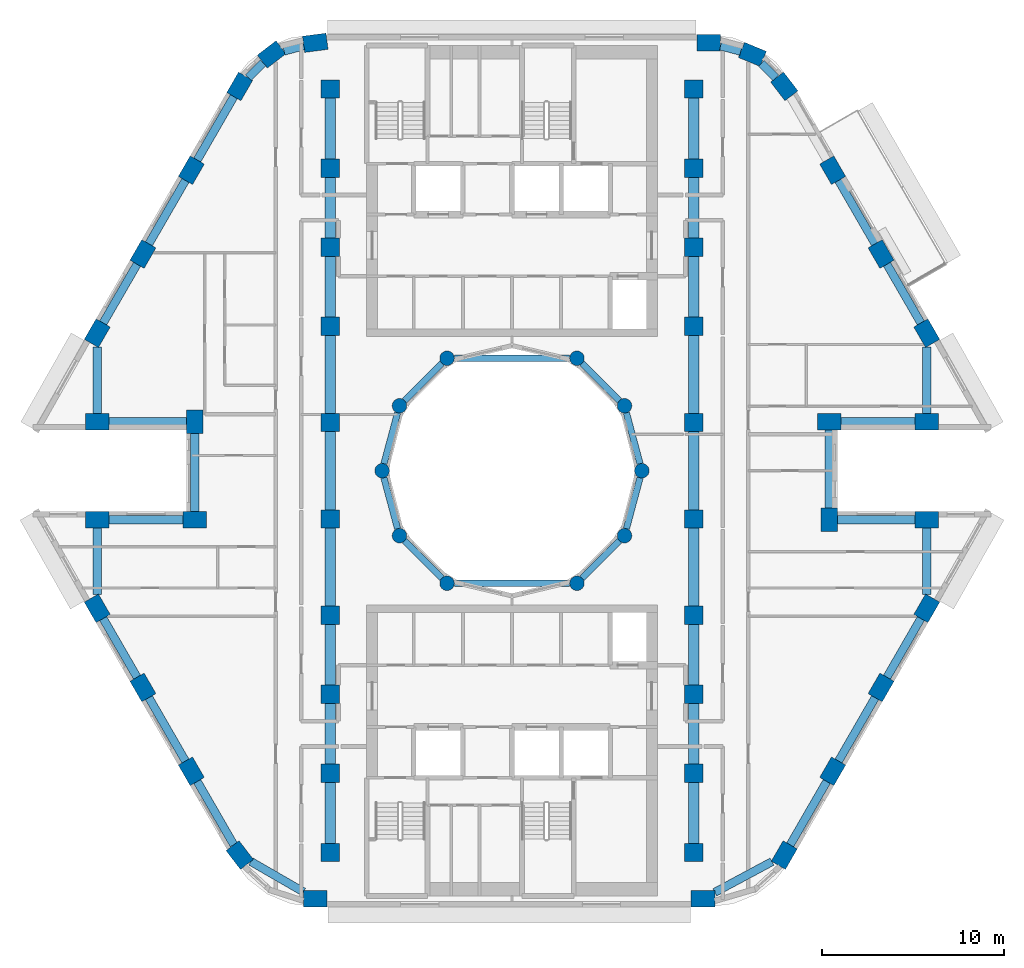
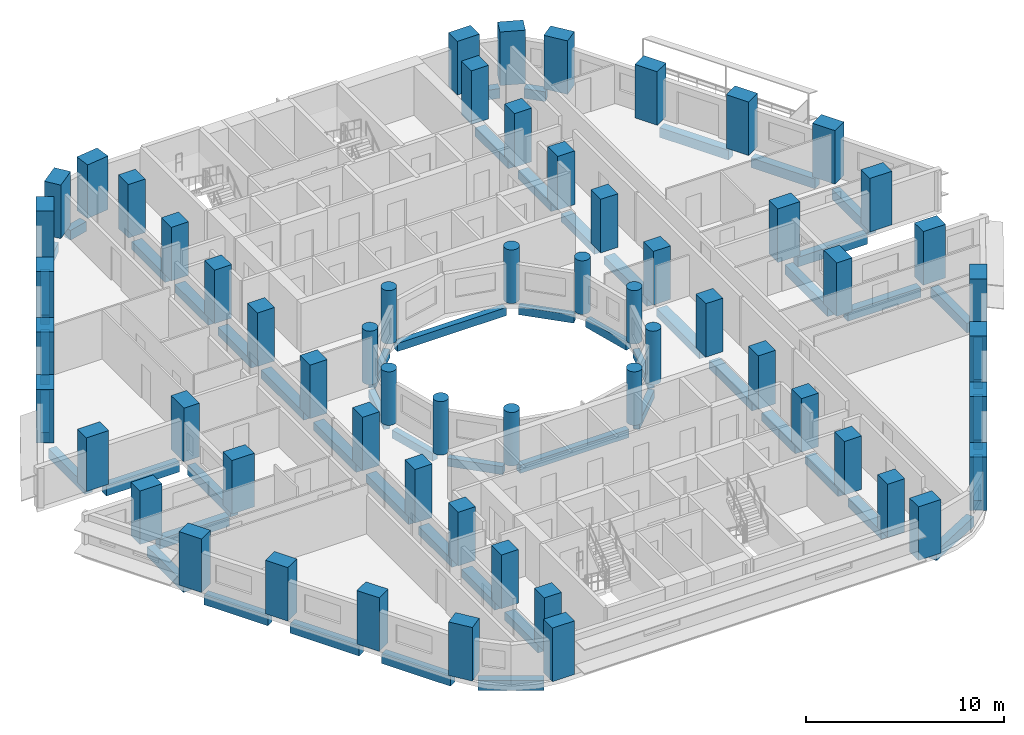
# One storey, part 1 of 14: 60 columns, 55 beams.
"""IFC4 building model written with IfcOpenShell, lengths in metres."""

from ifc_helpers import new_model, si_unit, direction, frame, origin, origin_2d, place, context, subcontext, project, spatial, rectangle, circle, extrude, material, material_profile, profile_set, type_object, element, save


model = new_model("IFC4")

# Units and contexts
model_context = context("Model", 3, precision=1e-05, world=origin(), true_north=direction((0.0, 1.0)))
body_context = subcontext(model_context, "Body", "Model", "MODEL_VIEW")
ifc_project = project(units=[si_unit("LENGTHUNIT", "METRE"), si_unit("AREAUNIT", "SQUARE_METRE"), si_unit("VOLUMEUNIT", "CUBIC_METRE"), si_unit("PLANEANGLEUNIT", "RADIAN"), si_unit("MASSUNIT", "GRAM", prefix="KILO")], contexts=[model_context])

# Site, building, storey
site_placement = place(None, origin())
site = spatial("IfcSite", under=ifc_project, at=site_placement, CompositionType="ELEMENT")
building_placement = place(site_placement, origin())
building = spatial("IfcBuilding", under=site, at=building_placement, Name="Nakaniwa Court", CompositionType="ELEMENT")
storey_placement = place(building_placement, frame((0.0, 0.0, 163.5)))
storey = spatial("IfcBuildingStorey", under=building, at=storey_placement, Name="L43", CompositionType="ELEMENT", Elevation=163.5)

# Columns
ifc_material = material(Name="Concrete C80/100", Category="concrete")
ifc_material_profile_1 = material_profile(ifc_material, rectangle(XDim=1.0, YDim=1.0, at=origin_2d()), Name="Concrete C80/100 RC 1000x1000 spine column")
ifc_profile_set_1 = profile_set([ifc_material_profile_1], Name="Concrete C80/100")
column_type_1 = type_object("IfcColumnType", Name="Concrete C80/100 RC 1000x1000 spine column", PredefinedType="COLUMN", material=ifc_profile_set_1)
for number, where, z_axis, x_axis, name in (
    (1, (90.0, 59.0, 0.0), (0.0, 0.0, 1.0), (0.0, 1.0, 0.0), "COLUMN CS-01"),
    (2, (90.0, 63.35009765625, 0.0), (0.0, 0.0, 1.0), (0.0, 1.0, 0.0), "COLUMN CS-02"),
    (3, (90.0, 67.699951171875, 0.0), (0.0, 0.0, 1.0), (0.0, 1.0, 0.0), "COLUMN CS-03"),
    (4, (90.0, 72.050048828125, 0.0), (0.0, 0.0, 1.0), (0.0, 1.0, 0.0), "COLUMN CS-04"),
    (5, (90.0, 77.35009765625, 0.0), (0.0, 0.0, 1.0), (0.0, 1.0, 0.0), "COLUMN CS-05"),
    (6, (90.0, 82.64990234375, 0.0), (0.0, 0.0, 1.0), (0.0, 1.0, 0.0), "COLUMN CS-06"),
    (7, (90.0, 87.949951171875, 0.0), (0.0, 0.0, 1.0), (0.0, 1.0, 0.0), "COLUMN CS-07"),
    (8, (90.0, 92.300048828125, 0.0), (0.0, 0.0, 1.0), (0.0, 1.0, 0.0), "COLUMN CS-08"),
    (9, (90.0, 96.64990234375, 0.0), (0.0, 0.0, 1.0), (0.0, 1.0, 0.0), "COLUMN CS-09"),
    (10, (90.0, 101.0, 0.0), (0.0, 0.0, 1.0), (0.0, 1.0, 0.0), "COLUMN CS-10"),
    (11, (70.0, 101.0, 0.0), (0.0, 0.0, 1.0), (0.0, -1.0, 0.0), "COLUMN CS-11"),
    (12, (70.0, 96.64990234375, 0.0), (0.0, 0.0, 1.0), (0.0, -1.0, 0.0), "COLUMN CS-12"),
    (13, (70.0, 92.300048828125, 0.0), (0.0, 0.0, 1.0), (0.0, -1.0, 0.0), "COLUMN CS-13"),
    (14, (70.0, 87.949951171875, 0.0), (0.0, 0.0, 1.0), (0.0, -1.0, 0.0), "COLUMN CS-14"),
    (15, (70.0, 82.64990234375, 0.0), (0.0, 0.0, 1.0), (0.0, -1.0, 0.0), "COLUMN CS-15"),
    (16, (70.0, 77.35009765625, 0.0), (0.0, 0.0, 1.0), (0.0, -1.0, 0.0), "COLUMN CS-16"),
    (17, (70.0, 72.050048828125, 0.0), (0.0, 0.0, 1.0), (0.0, -1.0, 0.0), "COLUMN CS-17"),
    (18, (70.0, 67.699951171875, 0.0), (0.0, 0.0, 1.0), (0.0, -1.0, 0.0), "COLUMN CS-18"),
    (19, (70.0, 63.35009765625, 0.0), (0.0, 0.0, 1.0), (0.0, -1.0, 0.0), "COLUMN CS-19"),
    (20, (70.0, 59.0, 0.0), (0.0, 0.0, 1.0), (0.0, -1.0, 0.0), "COLUMN CS-20"),
):
    element("IfcColumn", number, at=place(storey_placement, frame(where, z_axis=z_axis, x_axis=x_axis)), inside=storey, type_object=column_type_1, Name=name, PredefinedType="COLUMN", context=body_context, shape_type="SweptSolid", body=[
        extrude(rectangle(XDim=1.0, YDim=1.0, at=origin_2d()), origin(), (0.0, 0.0, 1.0), 3.300048828125),
    ])
ifc_material_profile_2 = material_profile(ifc_material, rectangle(XDim=1.300048828125, YDim=0.89990234375, at=origin_2d()), Name="Concrete C80/100 RC 1300x900 perimeter column")
ifc_profile_set_2 = profile_set([ifc_material_profile_2], Name="Concrete C80/100")
column_type_2 = type_object("IfcColumnType", Name="Concrete C80/100 RC 1300x900 perimeter column", PredefinedType="COLUMN", material=ifc_profile_set_2)
for number, where, z_axis, x_axis, name in (
    (21, (69.17529296875, 103.550048828125, 0.0), (0.0, 0.0, 1.0), (-0.991442583111, -0.130543496177, 0.0), "COLUMN CO-01"),
    (22, (66.772705078125, 102.91015625, 0.0), (0.0, 0.0, 1.0), (-0.793363965062, -0.608747582288, 0.0), "COLUMN CO-02"),
    (23, (65.017578125, 101.1494140625, 0.0), (0.0, 0.0, 1.0), (-0.5, -0.866025403784, 0.0), "COLUMN CO-03"),
    (24, (62.3544921875, 96.537109375, 0.0), (0.0, 0.0, 1.0), (-0.5, -0.866025403784, 0.0), "COLUMN CO-04"),
    (25, (59.691650390625, 91.9248046875, 0.0), (0.0, 0.0, 1.0), (-0.5, -0.866025403784, 0.0), "COLUMN CO-05"),
    (26, (57.177001953125, 87.569580078125, 0.0), (0.0, 0.0, 1.0), (-0.5, -0.866025403784, 0.0), "COLUMN CO-06"),
    (27, (57.177001953125, 82.699951171875, 0.0), (0.0, 0.0, 1.0), (1.0, 0.0, 0.0), "COLUMN CO-08"),
    (28, (62.54150390625, 82.699951171875, 0.0), (0.0, 0.0, 1.0), (0.0, -1.0, 0.0), "COLUMN CO-09"),
    (29, (62.54150390625, 77.300048828125, 0.0), (0.0, 0.0, 1.0), (-1.0, 0.0, 0.0), "COLUMN CO-10"),
    (30, (57.177001953125, 77.300048828125, 0.0), (0.0, 0.0, 1.0), (-1.0, 0.0, 0.0), "COLUMN CO-11"),
    (31, (57.177001953125, 72.430419921875, 0.0), (0.0, 0.0, 1.0), (0.5, -0.866025403784, 0.0), "COLUMN CO-13"),
    (32, (59.691650390625, 68.0751953125, 0.0), (0.0, 0.0, 1.0), (0.5, -0.866025403784, 0.0), "COLUMN CO-14"),
    (33, (62.3544921875, 63.462890625, 0.0), (0.0, 0.0, 1.0), (0.5, -0.866025403784, 0.0), "COLUMN CO-15"),
    (34, (65.017578125, 58.8505859375, 0.0), (0.0, 0.0, 1.0), (0.608761429009, -0.793353340291, 0.0), "COLUMN CO-16"),
    (35, (69.17529296875, 56.449951171875, 0.0), (0.0, 0.0, 1.0), (1.0, 0.0, 0.0), "COLUMN CO-17"),
    (36, (90.507080078125, 56.449951171875, 0.0), (0.0, 0.0, 1.0), (1.0, 0.0, 0.0), "COLUMN CO-21"),
    (37, (94.982421875, 58.8505859375, 0.0), (0.0, 0.0, 1.0), (0.5, 0.866025403784, 0.0), "COLUMN CO-22"),
    (38, (97.6455078125, 63.462890625, 0.0), (0.0, 0.0, 1.0), (0.5, 0.866025403784, 0.0), "COLUMN CO-23"),
    (39, (100.308349609375, 68.0751953125, 0.0), (0.0, 0.0, 1.0), (0.5, 0.866025403784, 0.0), "COLUMN CO-24"),
    (40, (102.822998046875, 72.430419921875, 0.0), (0.0, 0.0, 1.0), (0.5, 0.866025403784, 0.0), "COLUMN CO-25"),
    (41, (102.822998046875, 77.300048828125, 0.0), (0.0, 0.0, 1.0), (-1.0, 0.0, 0.0), "COLUMN CO-27"),
    (42, (97.45849609375, 77.300048828125, 0.0), (0.0, 0.0, 1.0), (0.0, 1.0, 0.0), "COLUMN CO-28"),
    (43, (97.45849609375, 82.699951171875, 0.0), (0.0, 0.0, 1.0), (1.0, 0.0, 0.0), "COLUMN CO-29"),
    (44, (102.822998046875, 82.699951171875, 0.0), (0.0, 0.0, 1.0), (1.0, 0.0, 0.0), "COLUMN CO-30"),
    (45, (102.822998046875, 87.569580078125, 0.0), (0.0, 0.0, 1.0), (-0.5, 0.866025403784, 0.0), "COLUMN CO-32"),
    (46, (100.308349609375, 91.9248046875, 0.0), (0.0, 0.0, 1.0), (-0.5, 0.866025403784, 0.0), "COLUMN CO-33"),
    (47, (97.6455078125, 96.537109375, 0.0), (0.0, 0.0, 1.0), (-0.5, 0.866025403784, 0.0), "COLUMN CO-34"),
    (48, (94.982421875, 101.1494140625, 0.0), (0.0, 0.0, 1.0), (-0.608761429009, 0.793353340291, 0.0), "COLUMN CO-35"),
    (49, (93.227294921875, 102.91015625, 0.0), (0.0, 0.0, 1.0), (-0.923879532511, 0.382683432365, 0.0), "COLUMN CO-36"),
    (50, (90.82470703125, 103.550048828125, 0.0), (0.0, 0.0, 1.0), (-1.0, 0.0, 0.0), "COLUMN CO-37"),
):
    element("IfcColumn", number, at=place(storey_placement, frame(where, z_axis=z_axis, x_axis=x_axis)), inside=storey, type_object=column_type_2, Name=name, PredefinedType="COLUMN", context=body_context, shape_type="SweptSolid", body=[
        extrude(rectangle(XDim=1.300048828125, YDim=0.89990234375, at=origin_2d()), origin(), (0.0, 0.0, 1.0), 3.300048828125),
    ])
ifc_material_profile_3 = material_profile(ifc_material, circle(Radius=0.39990234375, at=origin_2d()), Name="Concrete C80/100 RC D800 inner ring column")
ifc_profile_set_3 = profile_set([ifc_material_profile_3], Name="Concrete C80/100")
column_type_3 = type_object("IfcColumnType", Name="Concrete C80/100 RC D800 inner ring column", PredefinedType="COLUMN", material=ifc_profile_set_3)
for number, where, z_axis, x_axis, name in (
    (51, (87.14990234375, 80.0, 0.0), (0.0, 0.0, 1.0), (0.0, 1.0, 0.0), "COLUMN CI-01"),
    (52, (86.192138671875, 83.574951171875, 0.0), (0.0, 0.0, 1.0), (-0.5, 0.866025403784, 0.0), "COLUMN CI-02"),
    (53, (83.574951171875, 86.192138671875, 0.0), (0.0, 0.0, 1.0), (-0.866025403784, 0.5, 0.0), "COLUMN CI-03"),
    (54, (76.425048828125, 86.192138671875, 0.0), (0.0, 0.0, 1.0), (-0.866025403784, -0.5, 0.0), "COLUMN CI-05"),
    (55, (73.807861328125, 83.574951171875, 0.0), (0.0, 0.0, 1.0), (-0.5, -0.866025403784, 0.0), "COLUMN CI-06"),
    (56, (72.85009765625, 80.0, 0.0), (0.0, 0.0, 1.0), (0.0, -1.0, 0.0), "COLUMN CI-07"),
    (57, (73.807861328125, 76.425048828125, 0.0), (0.0, 0.0, 1.0), (0.5, -0.866025403784, 0.0), "COLUMN CI-08"),
    (58, (76.425048828125, 73.807861328125, 0.0), (0.0, 0.0, 1.0), (0.866025403784, -0.5, 0.0), "COLUMN CI-09"),
    (59, (83.574951171875, 73.807861328125, 0.0), (0.0, 0.0, 1.0), (0.866025403784, 0.5, 0.0), "COLUMN CI-11"),
    (60, (86.192138671875, 76.425048828125, 0.0), (0.0, 0.0, 1.0), (0.5, 0.866025403784, 0.0), "COLUMN CI-12"),
):
    element("IfcColumn", number, at=place(storey_placement, frame(where, z_axis=z_axis, x_axis=x_axis)), inside=storey, type_object=column_type_3, Name=name, PredefinedType="COLUMN", context=body_context, shape_type="SweptSolid", body=[
        extrude(circle(Radius=0.39990234375, at=origin_2d()), origin(), (0.0, 0.0, 1.0), 3.300048828125),
    ])

# Beams
ifc_material_profile_4 = material_profile(ifc_material, rectangle(XDim=0.35009765625, YDim=0.5, at=origin_2d()), Name="Concrete C80/100 RC 350x500 ring beam")
ifc_profile_set_4 = profile_set([ifc_material_profile_4], Name="Concrete C80/100")
beam_type_1 = type_object("IfcBeamType", Name="Concrete C80/100 RC 350x500 ring beam", PredefinedType="BEAM", material=ifc_profile_set_4)
beam_1_placement = place(storey_placement, frame((87.04638671875, 80.386474609375, -0.52490234375), z_axis=(-0.258778150207, 0.965936783115, 0.0), x_axis=(-0.965936783115, -0.258778150207, 0.0)))
element("IfcBeam", 61, at=beam_1_placement, inside=storey, type_object=beam_type_1, Name="RING BEAM", PredefinedType="BEAM", context=body_context, shape_type="SweptSolid", body=[
    extrude(rectangle(XDim=0.35009765625, YDim=0.5, at=origin_2d()), origin(), (0.0, 0.0, 1.0), 2.901123046875),
])
beam_2_placement = place(storey_placement, frame((85.9091796875, 83.85791015625, -0.52490234375), z_axis=(-0.707106781187, 0.707106781187, 0.0), x_axis=(-0.707106781187, -0.707106781187, 0.0)))
element("IfcBeam", 62, at=beam_2_placement, inside=storey, type_object=beam_type_1, Name="RING BEAM", PredefinedType="BEAM", context=body_context, shape_type="SweptSolid", body=[
    extrude(rectangle(XDim=0.35009765625, YDim=0.5, at=origin_2d()), origin(), (0.0, 0.0, 1.0), 2.90087890625),
])
beam_3_placement = place(storey_placement, frame((83.175048828125, 86.192138671875, -0.52490234375), z_axis=(-1.0, 0.0, 0.0), x_axis=(0.0, -1.0, 0.0)))
element("IfcBeam", 63, at=beam_3_placement, inside=storey, type_object=beam_type_1, Name="RING BEAM", PredefinedType="BEAM", context=body_context, shape_type="SweptSolid", body=[
    extrude(rectangle(XDim=0.35009765625, YDim=0.5, at=origin_2d()), origin(), (0.0, 0.0, 1.0), 6.35009765625),
])
beam_4_placement = place(storey_placement, frame((76.14208984375, 85.9091796875, -0.52490234375), z_axis=(-0.707106781187, -0.707106781187, 0.0), x_axis=(0.707106781187, -0.707106781187, 0.0)))
element("IfcBeam", 64, at=beam_4_placement, inside=storey, type_object=beam_type_1, Name="RING BEAM", PredefinedType="BEAM", context=body_context, shape_type="SweptSolid", body=[
    extrude(rectangle(XDim=0.35009765625, YDim=0.5, at=origin_2d()), origin(), (0.0, 0.0, 1.0), 2.90087890625),
])
for number, where, z_axis, x_axis, name in (
    (65, (73.704345703125, 83.188720703125, -0.52490234375), (-0.258778150207, -0.965936783115, 0.0), (0.965936783115, -0.258778150207, 0.0), "RING BEAM"),
    (66, (72.95361328125, 79.613525390625, -0.52490234375), (0.258778150207, -0.965936783115, 0.0), (0.965936783115, 0.258778150207, 0.0), "RING BEAM"),
):
    element("IfcBeam", number, at=place(storey_placement, frame(where, z_axis=z_axis, x_axis=x_axis)), inside=storey, type_object=beam_type_1, Name=name, PredefinedType="BEAM", context=body_context, shape_type="SweptSolid", body=[
        extrude(rectangle(XDim=0.35009765625, YDim=0.5, at=origin_2d()), origin(), (0.0, 0.0, 1.0), 2.901123046875),
    ])
beam_5_placement = place(storey_placement, frame((74.0908203125, 76.14208984375, -0.52490234375), z_axis=(0.707106781187, -0.707106781187, 0.0), x_axis=(0.707106781187, 0.707106781187, 0.0)))
element("IfcBeam", 67, at=beam_5_placement, inside=storey, type_object=beam_type_1, Name="RING BEAM", PredefinedType="BEAM", context=body_context, shape_type="SweptSolid", body=[
    extrude(rectangle(XDim=0.35009765625, YDim=0.5, at=origin_2d()), origin(), (0.0, 0.0, 1.0), 2.90087890625),
])
beam_6_placement = place(storey_placement, frame((76.824951171875, 73.807861328125, -0.52490234375), z_axis=(1.0, 0.0, 0.0), x_axis=(0.0, 1.0, 0.0)))
element("IfcBeam", 68, at=beam_6_placement, inside=storey, type_object=beam_type_1, Name="RING BEAM", PredefinedType="BEAM", context=body_context, shape_type="SweptSolid", body=[
    extrude(rectangle(XDim=0.35009765625, YDim=0.5, at=origin_2d()), origin(), (0.0, 0.0, 1.0), 6.35009765625),
])
beam_7_placement = place(storey_placement, frame((83.85791015625, 74.0908203125, -0.52490234375), z_axis=(0.707106781187, 0.707106781187, 0.0), x_axis=(-0.707106781187, 0.707106781187, 0.0)))
element("IfcBeam", 69, at=beam_7_placement, inside=storey, type_object=beam_type_1, Name="RING BEAM", PredefinedType="BEAM", context=body_context, shape_type="SweptSolid", body=[
    extrude(rectangle(XDim=0.35009765625, YDim=0.5, at=origin_2d()), origin(), (0.0, 0.0, 1.0), 2.90087890625),
])
beam_8_placement = place(storey_placement, frame((86.295654296875, 76.811279296875, -0.52490234375), z_axis=(0.258778150207, 0.965936783115, 0.0), x_axis=(-0.965936783115, 0.258778150207, 0.0)))
element("IfcBeam", 70, at=beam_8_placement, inside=storey, type_object=beam_type_1, Name="RING BEAM", PredefinedType="BEAM", context=body_context, shape_type="SweptSolid", body=[
    extrude(rectangle(XDim=0.35009765625, YDim=0.5, at=origin_2d()), origin(), (0.0, 0.0, 1.0), 2.901123046875),
])
ifc_material_profile_5 = material_profile(ifc_material, rectangle(XDim=0.449951171875, YDim=0.60009765625, at=origin_2d()), Name="Concrete C80/100 RC 450x600 spandrel beam")
ifc_profile_set_5 = profile_set([ifc_material_profile_5], Name="Concrete C80/100")
beam_type_2 = type_object("IfcBeamType", Name="Concrete C80/100 RC 450x600 spandrel beam", PredefinedType="BEAM", material=ifc_profile_set_5)
beam_9_placement = place(storey_placement, frame((68.5419921875, 103.38134765625, -0.574951171875), z_axis=(-0.966321172043, -0.257339061284, 0.0), x_axis=(0.257339061284, -0.966321172043, 0.0)))
element("IfcBeam", 71, at=beam_9_placement, inside=storey, type_object=beam_type_2, Name="SPANDREL BEAM", PredefinedType="BEAM", context=body_context, shape_type="SweptSolid", body=[
    extrude(rectangle(XDim=0.449951171875, YDim=0.60009765625, at=origin_2d()), origin(), (0.0, 0.0, 1.0), 1.126953125),
])
beam_10_placement = place(storey_placement, frame((66.309814453125, 102.44580078125, -0.574951171875), z_axis=(-0.706051557188, -0.708160432807, 0.0), x_axis=(0.708160432807, -0.706051557188, 0.0)))
element("IfcBeam", 72, at=beam_10_placement, inside=storey, type_object=beam_type_2, Name="SPANDREL BEAM", PredefinedType="BEAM", context=body_context, shape_type="SweptSolid", body=[
    extrude(rectangle(XDim=0.449951171875, YDim=0.60009765625, at=origin_2d()), origin(), (0.0, 0.0, 1.0), 1.15771484375),
])
for number, where, z_axis, x_axis, name in (
    (73, (64.6923828125, 100.586669921875, -0.574951171875), (-0.499993669216, -0.866029058833, 0.0), (0.866029058833, -0.499993669216, 0.0), "SPANDREL BEAM"),
    (74, (62.029541015625, 95.97412109375, -0.574951171875), (-0.499993669216, -0.866029058833, 0.0), (0.866029058833, -0.499993669216, 0.0), "SPANDREL BEAM"),
):
    element("IfcBeam", number, at=place(storey_placement, frame(where, z_axis=z_axis, x_axis=x_axis)), inside=storey, type_object=beam_type_2, Name=name, PredefinedType="BEAM", context=body_context, shape_type="SweptSolid", body=[
        extrude(rectangle(XDim=0.449951171875, YDim=0.60009765625, at=origin_2d()), origin(), (0.0, 0.0, 1.0), 4.02587890625),
    ])
beam_11_placement = place(storey_placement, frame((59.36669921875, 91.36181640625, -0.574951171875), z_axis=(-0.50001905207, -0.866014403787, 0.0), x_axis=(0.866014403787, -0.50001905207, 0.0)))
element("IfcBeam", 75, at=beam_11_placement, inside=storey, type_object=beam_type_2, Name="SPANDREL BEAM", PredefinedType="BEAM", context=body_context, shape_type="SweptSolid", body=[
    extrude(rectangle(XDim=0.449951171875, YDim=0.60009765625, at=origin_2d()), origin(), (0.0, 0.0, 1.0), 3.728759765625),
])
beam_12_placement = place(storey_placement, frame((57.177001953125, 86.819091796875, -0.574951171875), z_axis=(0.0, -1.0, 0.0), x_axis=(1.0, 0.0, 0.0)))
element("IfcBeam", 76, at=beam_12_placement, inside=storey, type_object=beam_type_2, Name="SPANDREL BEAM", PredefinedType="BEAM", context=body_context, shape_type="SweptSolid", body=[
    extrude(rectangle(XDim=0.449951171875, YDim=0.60009765625, at=origin_2d()), origin(), (0.0, 0.0, 1.0), 3.669189453125),
])
beam_13_placement = place(storey_placement, frame((57.8271484375, 82.699951171875, -0.574951171875), z_axis=(1.0, 0.0, 0.0), x_axis=(0.0, 1.0, 0.0)))
element("IfcBeam", 77, at=beam_13_placement, inside=storey, type_object=beam_type_2, Name="SPANDREL BEAM", PredefinedType="BEAM", context=body_context, shape_type="SweptSolid", body=[
    extrude(rectangle(XDim=0.449951171875, YDim=0.60009765625, at=origin_2d()), origin(), (0.0, 0.0, 1.0), 4.264404296875),
])
beam_14_placement = place(storey_placement, frame((62.54150390625, 82.050048828125, -0.574951171875), z_axis=(0.0, -1.0, 0.0), x_axis=(1.0, 0.0, 0.0)))
element("IfcBeam", 78, at=beam_14_placement, inside=storey, type_object=beam_type_2, Name="SPANDREL BEAM", PredefinedType="BEAM", context=body_context, shape_type="SweptSolid", body=[
    extrude(rectangle(XDim=0.449951171875, YDim=0.60009765625, at=origin_2d()), origin(), (0.0, 0.0, 1.0), 4.300048828125),
])
beam_15_placement = place(storey_placement, frame((61.8916015625, 77.300048828125, -0.574951171875), z_axis=(-1.0, 0.0, 0.0), x_axis=(0.0, -1.0, 0.0)))
element("IfcBeam", 79, at=beam_15_placement, inside=storey, type_object=beam_type_2, Name="SPANDREL BEAM", PredefinedType="BEAM", context=body_context, shape_type="SweptSolid", body=[
    extrude(rectangle(XDim=0.449951171875, YDim=0.60009765625, at=origin_2d()), origin(), (0.0, 0.0, 1.0), 4.064453125),
])
beam_16_placement = place(storey_placement, frame((57.177001953125, 76.85009765625, -0.574951171875), z_axis=(0.0, -1.0, 0.0), x_axis=(1.0, 0.0, 0.0)))
element("IfcBeam", 80, at=beam_16_placement, inside=storey, type_object=beam_type_2, Name="SPANDREL BEAM", PredefinedType="BEAM", context=body_context, shape_type="SweptSolid", body=[
    extrude(rectangle(XDim=0.449951171875, YDim=0.60009765625, at=origin_2d()), origin(), (0.0, 0.0, 1.0), 3.669189453125),
])
beam_17_placement = place(storey_placement, frame((57.502197265625, 71.867431640625, -0.574951171875), z_axis=(0.50001905207, -0.866014403787, 0.0), x_axis=(0.866014403787, 0.50001905207, 0.0)))
element("IfcBeam", 81, at=beam_17_placement, inside=storey, type_object=beam_type_2, Name="SPANDREL BEAM", PredefinedType="BEAM", context=body_context, shape_type="SweptSolid", body=[
    extrude(rectangle(XDim=0.449951171875, YDim=0.60009765625, at=origin_2d()), origin(), (0.0, 0.0, 1.0), 3.728759765625),
])
beam_18_placement = place(storey_placement, frame((60.0166015625, 67.512451171875, -0.574951171875), z_axis=(0.499993669216, -0.866029058833, 0.0), x_axis=(0.866029058833, 0.499993669216, 0.0)))
element("IfcBeam", 82, at=beam_18_placement, inside=storey, type_object=beam_type_2, Name="SPANDREL BEAM", PredefinedType="BEAM", context=body_context, shape_type="SweptSolid", body=[
    extrude(rectangle(XDim=0.449951171875, YDim=0.60009765625, at=origin_2d()), origin(), (0.0, 0.0, 1.0), 4.02587890625),
])
beam_19_placement = place(storey_placement, frame((62.679443359375, 62.89990234375, -0.574951171875), z_axis=(0.500018573463, -0.866014680125, 0.0), x_axis=(0.866014680125, 0.500018573463, 0.0)))
element("IfcBeam", 83, at=beam_19_placement, inside=storey, type_object=beam_type_2, Name="SPANDREL BEAM", PredefinedType="BEAM", context=body_context, shape_type="SweptSolid", body=[
    extrude(rectangle(XDim=0.449951171875, YDim=0.60009765625, at=origin_2d()), origin(), (0.0, 0.0, 1.0), 4.020263671875),
])
beam_20_placement = place(storey_placement, frame((65.626708984375, 58.498779296875, -0.574951171875), z_axis=(0.866021605644, -0.500006578514, 0.0), x_axis=(0.500006578514, 0.866021605644, 0.0)))
element("IfcBeam", 84, at=beam_20_placement, inside=storey, type_object=beam_type_2, Name="SPANDREL BEAM", PredefinedType="BEAM", context=body_context, shape_type="SweptSolid", body=[
    extrude(rectangle(XDim=0.449951171875, YDim=0.60009765625, at=origin_2d()), origin(), (0.0, 0.0, 1.0), 3.34716796875),
])
beam_21_placement = place(storey_placement, frame((91.156982421875, 56.798583984375, -0.574951171875), z_axis=(0.881239336512, 0.472670320397, 0.0), x_axis=(-0.472670320397, 0.881239336512, 0.0)))
element("IfcBeam", 85, at=beam_21_placement, inside=storey, type_object=beam_type_2, Name="SPANDREL BEAM", PredefinedType="BEAM", context=body_context, shape_type="SweptSolid", body=[
    extrude(rectangle(XDim=0.449951171875, YDim=0.60009765625, at=origin_2d()), origin(), (0.0, 0.0, 1.0), 3.576416015625),
])
for number, where, z_axis, x_axis, name in (
    (86, (95.3076171875, 59.413330078125, -0.574951171875), (0.499993669216, 0.866029058833, 0.0), (-0.866029058833, 0.499993669216, 0.0), "SPANDREL BEAM"),
    (87, (97.970458984375, 64.02587890625, -0.574951171875), (0.499993669216, 0.866029058833, 0.0), (-0.866029058833, 0.499993669216, 0.0), "SPANDREL BEAM"),
):
    element("IfcBeam", number, at=place(storey_placement, frame(where, z_axis=z_axis, x_axis=x_axis)), inside=storey, type_object=beam_type_2, Name=name, PredefinedType="BEAM", context=body_context, shape_type="SweptSolid", body=[
        extrude(rectangle(XDim=0.449951171875, YDim=0.60009765625, at=origin_2d()), origin(), (0.0, 0.0, 1.0), 4.02587890625),
    ])
beam_22_placement = place(storey_placement, frame((100.63330078125, 68.63818359375, -0.574951171875), z_axis=(0.50001905207, 0.866014403787, 0.0), x_axis=(-0.866014403787, 0.50001905207, 0.0)))
element("IfcBeam", 88, at=beam_22_placement, inside=storey, type_object=beam_type_2, Name="SPANDREL BEAM", PredefinedType="BEAM", context=body_context, shape_type="SweptSolid", body=[
    extrude(rectangle(XDim=0.449951171875, YDim=0.60009765625, at=origin_2d()), origin(), (0.0, 0.0, 1.0), 3.728759765625),
])
beam_23_placement = place(storey_placement, frame((102.822998046875, 73.180908203125, -0.574951171875), z_axis=(0.0, 1.0, 0.0), x_axis=(-1.0, 0.0, 0.0)))
element("IfcBeam", 89, at=beam_23_placement, inside=storey, type_object=beam_type_2, Name="SPANDREL BEAM", PredefinedType="BEAM", context=body_context, shape_type="SweptSolid", body=[
    extrude(rectangle(XDim=0.449951171875, YDim=0.60009765625, at=origin_2d()), origin(), (0.0, 0.0, 1.0), 3.669189453125),
])
beam_24_placement = place(storey_placement, frame((102.1728515625, 77.300048828125, -0.574951171875), z_axis=(-1.0, 0.0, 0.0), x_axis=(0.0, -1.0, 0.0)))
element("IfcBeam", 90, at=beam_24_placement, inside=storey, type_object=beam_type_2, Name="SPANDREL BEAM", PredefinedType="BEAM", context=body_context, shape_type="SweptSolid", body=[
    extrude(rectangle(XDim=0.449951171875, YDim=0.60009765625, at=origin_2d()), origin(), (0.0, 0.0, 1.0), 4.264404296875),
])
beam_25_placement = place(storey_placement, frame((97.45849609375, 77.949951171875, -0.574951171875), z_axis=(0.0, 1.0, 0.0), x_axis=(-1.0, 0.0, 0.0)))
element("IfcBeam", 91, at=beam_25_placement, inside=storey, type_object=beam_type_2, Name="SPANDREL BEAM", PredefinedType="BEAM", context=body_context, shape_type="SweptSolid", body=[
    extrude(rectangle(XDim=0.449951171875, YDim=0.60009765625, at=origin_2d()), origin(), (0.0, 0.0, 1.0), 4.300048828125),
])
beam_26_placement = place(storey_placement, frame((98.1083984375, 82.699951171875, -0.574951171875), z_axis=(1.0, 0.0, 0.0), x_axis=(0.0, 1.0, 0.0)))
element("IfcBeam", 92, at=beam_26_placement, inside=storey, type_object=beam_type_2, Name="SPANDREL BEAM", PredefinedType="BEAM", context=body_context, shape_type="SweptSolid", body=[
    extrude(rectangle(XDim=0.449951171875, YDim=0.60009765625, at=origin_2d()), origin(), (0.0, 0.0, 1.0), 4.064453125),
])
beam_27_placement = place(storey_placement, frame((102.822998046875, 83.14990234375, -0.574951171875), z_axis=(0.0, 1.0, 0.0), x_axis=(-1.0, 0.0, 0.0)))
element("IfcBeam", 93, at=beam_27_placement, inside=storey, type_object=beam_type_2, Name="SPANDREL BEAM", PredefinedType="BEAM", context=body_context, shape_type="SweptSolid", body=[
    extrude(rectangle(XDim=0.449951171875, YDim=0.60009765625, at=origin_2d()), origin(), (0.0, 0.0, 1.0), 3.669189453125),
])
beam_28_placement = place(storey_placement, frame((102.497802734375, 88.132568359375, -0.574951171875), z_axis=(-0.50001905207, 0.866014403787, 0.0), x_axis=(-0.866014403787, -0.50001905207, 0.0)))
element("IfcBeam", 94, at=beam_28_placement, inside=storey, type_object=beam_type_2, Name="SPANDREL BEAM", PredefinedType="BEAM", context=body_context, shape_type="SweptSolid", body=[
    extrude(rectangle(XDim=0.449951171875, YDim=0.60009765625, at=origin_2d()), origin(), (0.0, 0.0, 1.0), 3.728759765625),
])
beam_29_placement = place(storey_placement, frame((99.9833984375, 92.487548828125, -0.574951171875), z_axis=(-0.499993669216, 0.866029058833, 0.0), x_axis=(-0.866029058833, -0.499993669216, 0.0)))
element("IfcBeam", 95, at=beam_29_placement, inside=storey, type_object=beam_type_2, Name="SPANDREL BEAM", PredefinedType="BEAM", context=body_context, shape_type="SweptSolid", body=[
    extrude(rectangle(XDim=0.449951171875, YDim=0.60009765625, at=origin_2d()), origin(), (0.0, 0.0, 1.0), 4.02587890625),
])
beam_30_placement = place(storey_placement, frame((94.519775390625, 101.61376953125, -0.574951171875), z_axis=(-0.706022429805, 0.708189472254, 0.0), x_axis=(-0.708189472254, -0.706022429805, 0.0)))
element("IfcBeam", 96, at=beam_30_placement, inside=storey, type_object=beam_type_2, Name="SPANDREL BEAM", PredefinedType="BEAM", context=body_context, shape_type="SweptSolid", body=[
    extrude(rectangle(XDim=0.449951171875, YDim=0.60009765625, at=origin_2d()), origin(), (0.0, 0.0, 1.0), 1.126708984375),
])
beam_31_placement = place(storey_placement, frame((92.593505859375, 103.078857421875, -0.574951171875), z_axis=(-0.966294404875, 0.257439552335, 0.0), x_axis=(-0.257439552335, -0.966294404875, 0.0)))
element("IfcBeam", 97, at=beam_31_placement, inside=storey, type_object=beam_type_2, Name="SPANDREL BEAM", PredefinedType="BEAM", context=body_context, shape_type="SweptSolid", body=[
    extrude(rectangle(XDim=0.449951171875, YDim=0.60009765625, at=origin_2d()), origin(), (0.0, 0.0, 1.0), 1.157958984375),
])
ifc_material_profile_6 = material_profile(ifc_material, rectangle(XDim=0.60009765625, YDim=0.5, at=origin_2d()), Name="Concrete C80/100 RC 600x500 ring beam")
ifc_profile_set_6 = profile_set([ifc_material_profile_6], Name="Concrete C80/100")
beam_type_3 = type_object("IfcBeamType", Name="Concrete C80/100 RC 600x500 ring beam", PredefinedType="BEAM", material=ifc_profile_set_6)
beam_32_placement = place(storey_placement, frame((90.0, 59.5, -0.52490234375), z_axis=(0.0, 1.0, 0.0), x_axis=(-1.0, 0.0, 0.0)))
element("IfcBeam", 98, at=beam_32_placement, inside=storey, type_object=beam_type_3, Name="RING BEAM", PredefinedType="BEAM", context=body_context, shape_type="SweptSolid", body=[
    extrude(rectangle(XDim=0.60009765625, YDim=0.5, at=origin_2d()), origin(), (0.0, 0.0, 1.0), 3.35009765625),
])
beam_33_placement = place(storey_placement, frame((90.0, 63.85009765625, -0.52490234375), z_axis=(0.0, 1.0, 0.0), x_axis=(-1.0, 0.0, 0.0)))
element("IfcBeam", 99, at=beam_33_placement, inside=storey, type_object=beam_type_3, Name="RING BEAM", PredefinedType="BEAM", context=body_context, shape_type="SweptSolid", body=[
    extrude(rectangle(XDim=0.60009765625, YDim=0.5, at=origin_2d()), origin(), (0.0, 0.0, 1.0), 3.349853515625),
])
beam_34_placement = place(storey_placement, frame((90.0, 68.199951171875, -0.52490234375), z_axis=(0.0, 1.0, 0.0), x_axis=(-1.0, 0.0, 0.0)))
element("IfcBeam", 100, at=beam_34_placement, inside=storey, type_object=beam_type_3, Name="RING BEAM", PredefinedType="BEAM", context=body_context, shape_type="SweptSolid", body=[
    extrude(rectangle(XDim=0.60009765625, YDim=0.5, at=origin_2d()), origin(), (0.0, 0.0, 1.0), 3.35009765625),
])
beam_35_placement = place(storey_placement, frame((90.0, 72.550048828125, -0.52490234375), z_axis=(0.0, 1.0, 0.0), x_axis=(-1.0, 0.0, 0.0)))
element("IfcBeam", 101, at=beam_35_placement, inside=storey, type_object=beam_type_3, Name="RING BEAM", PredefinedType="BEAM", context=body_context, shape_type="SweptSolid", body=[
    extrude(rectangle(XDim=0.60009765625, YDim=0.5, at=origin_2d()), origin(), (0.0, 0.0, 1.0), 4.300048828125),
])
beam_36_placement = place(storey_placement, frame((90.0, 77.85009765625, -0.52490234375), z_axis=(0.0, 1.0, 0.0), x_axis=(-1.0, 0.0, 0.0)))
element("IfcBeam", 102, at=beam_36_placement, inside=storey, type_object=beam_type_3, Name="RING BEAM", PredefinedType="BEAM", context=body_context, shape_type="SweptSolid", body=[
    extrude(rectangle(XDim=0.60009765625, YDim=0.5, at=origin_2d()), origin(), (0.0, 0.0, 1.0), 4.2998046875),
])
beam_37_placement = place(storey_placement, frame((90.0, 83.14990234375, -0.52490234375), z_axis=(0.0, 1.0, 0.0), x_axis=(-1.0, 0.0, 0.0)))
element("IfcBeam", 103, at=beam_37_placement, inside=storey, type_object=beam_type_3, Name="RING BEAM", PredefinedType="BEAM", context=body_context, shape_type="SweptSolid", body=[
    extrude(rectangle(XDim=0.60009765625, YDim=0.5, at=origin_2d()), origin(), (0.0, 0.0, 1.0), 4.300048828125),
])
beam_38_placement = place(storey_placement, frame((90.0, 88.449951171875, -0.52490234375), z_axis=(0.0, 1.0, 0.0), x_axis=(-1.0, 0.0, 0.0)))
element("IfcBeam", 104, at=beam_38_placement, inside=storey, type_object=beam_type_3, Name="RING BEAM", PredefinedType="BEAM", context=body_context, shape_type="SweptSolid", body=[
    extrude(rectangle(XDim=0.60009765625, YDim=0.5, at=origin_2d()), origin(), (0.0, 0.0, 1.0), 3.35009765625),
])
beam_39_placement = place(storey_placement, frame((90.0, 92.800048828125, -0.52490234375), z_axis=(0.0, 1.0, 0.0), x_axis=(-1.0, 0.0, 0.0)))
element("IfcBeam", 105, at=beam_39_placement, inside=storey, type_object=beam_type_3, Name="RING BEAM", PredefinedType="BEAM", context=body_context, shape_type="SweptSolid", body=[
    extrude(rectangle(XDim=0.60009765625, YDim=0.5, at=origin_2d()), origin(), (0.0, 0.0, 1.0), 3.349853515625),
])
for number, where, z_axis, x_axis, name in (
    (106, (90.0, 97.14990234375, -0.52490234375), (0.0, 1.0, 0.0), (-1.0, 0.0, 0.0), "RING BEAM"),
    (107, (70.0, 100.5, -0.52490234375), (0.0, -1.0, 0.0), (1.0, 0.0, 0.0), "RING BEAM"),
):
    element("IfcBeam", number, at=place(storey_placement, frame(where, z_axis=z_axis, x_axis=x_axis)), inside=storey, type_object=beam_type_3, Name=name, PredefinedType="BEAM", context=body_context, shape_type="SweptSolid", body=[
        extrude(rectangle(XDim=0.60009765625, YDim=0.5, at=origin_2d()), origin(), (0.0, 0.0, 1.0), 3.35009765625),
    ])
beam_40_placement = place(storey_placement, frame((70.0, 96.14990234375, -0.52490234375), z_axis=(0.0, -1.0, 0.0), x_axis=(1.0, 0.0, 0.0)))
element("IfcBeam", 108, at=beam_40_placement, inside=storey, type_object=beam_type_3, Name="RING BEAM", PredefinedType="BEAM", context=body_context, shape_type="SweptSolid", body=[
    extrude(rectangle(XDim=0.60009765625, YDim=0.5, at=origin_2d()), origin(), (0.0, 0.0, 1.0), 3.349853515625),
])
beam_41_placement = place(storey_placement, frame((70.0, 91.800048828125, -0.52490234375), z_axis=(0.0, -1.0, 0.0), x_axis=(1.0, 0.0, 0.0)))
element("IfcBeam", 109, at=beam_41_placement, inside=storey, type_object=beam_type_3, Name="RING BEAM", PredefinedType="BEAM", context=body_context, shape_type="SweptSolid", body=[
    extrude(rectangle(XDim=0.60009765625, YDim=0.5, at=origin_2d()), origin(), (0.0, 0.0, 1.0), 3.35009765625),
])
beam_42_placement = place(storey_placement, frame((70.0, 87.449951171875, -0.52490234375), z_axis=(0.0, -1.0, 0.0), x_axis=(1.0, 0.0, 0.0)))
element("IfcBeam", 110, at=beam_42_placement, inside=storey, type_object=beam_type_3, Name="RING BEAM", PredefinedType="BEAM", context=body_context, shape_type="SweptSolid", body=[
    extrude(rectangle(XDim=0.60009765625, YDim=0.5, at=origin_2d()), origin(), (0.0, 0.0, 1.0), 4.300048828125),
])
beam_43_placement = place(storey_placement, frame((70.0, 82.14990234375, -0.52490234375), z_axis=(0.0, -1.0, 0.0), x_axis=(1.0, 0.0, 0.0)))
element("IfcBeam", 111, at=beam_43_placement, inside=storey, type_object=beam_type_3, Name="RING BEAM", PredefinedType="BEAM", context=body_context, shape_type="SweptSolid", body=[
    extrude(rectangle(XDim=0.60009765625, YDim=0.5, at=origin_2d()), origin(), (0.0, 0.0, 1.0), 4.2998046875),
])
beam_44_placement = place(storey_placement, frame((70.0, 76.85009765625, -0.52490234375), z_axis=(0.0, -1.0, 0.0), x_axis=(1.0, 0.0, 0.0)))
element("IfcBeam", 112, at=beam_44_placement, inside=storey, type_object=beam_type_3, Name="RING BEAM", PredefinedType="BEAM", context=body_context, shape_type="SweptSolid", body=[
    extrude(rectangle(XDim=0.60009765625, YDim=0.5, at=origin_2d()), origin(), (0.0, 0.0, 1.0), 4.300048828125),
])
beam_45_placement = place(storey_placement, frame((70.0, 71.550048828125, -0.52490234375), z_axis=(0.0, -1.0, 0.0), x_axis=(1.0, 0.0, 0.0)))
element("IfcBeam", 113, at=beam_45_placement, inside=storey, type_object=beam_type_3, Name="RING BEAM", PredefinedType="BEAM", context=body_context, shape_type="SweptSolid", body=[
    extrude(rectangle(XDim=0.60009765625, YDim=0.5, at=origin_2d()), origin(), (0.0, 0.0, 1.0), 3.35009765625),
])
beam_46_placement = place(storey_placement, frame((70.0, 67.199951171875, -0.52490234375), z_axis=(0.0, -1.0, 0.0), x_axis=(1.0, 0.0, 0.0)))
element("IfcBeam", 114, at=beam_46_placement, inside=storey, type_object=beam_type_3, Name="RING BEAM", PredefinedType="BEAM", context=body_context, shape_type="SweptSolid", body=[
    extrude(rectangle(XDim=0.60009765625, YDim=0.5, at=origin_2d()), origin(), (0.0, 0.0, 1.0), 3.349853515625),
])
beam_47_placement = place(storey_placement, frame((70.0, 62.85009765625, -0.52490234375), z_axis=(0.0, -1.0, 0.0), x_axis=(1.0, 0.0, 0.0)))
element("IfcBeam", 115, at=beam_47_placement, inside=storey, type_object=beam_type_3, Name="RING BEAM", PredefinedType="BEAM", context=body_context, shape_type="SweptSolid", body=[
    extrude(rectangle(XDim=0.60009765625, YDim=0.5, at=origin_2d()), origin(), (0.0, 0.0, 1.0), 3.35009765625),
])

save(model, "model.ifc")
